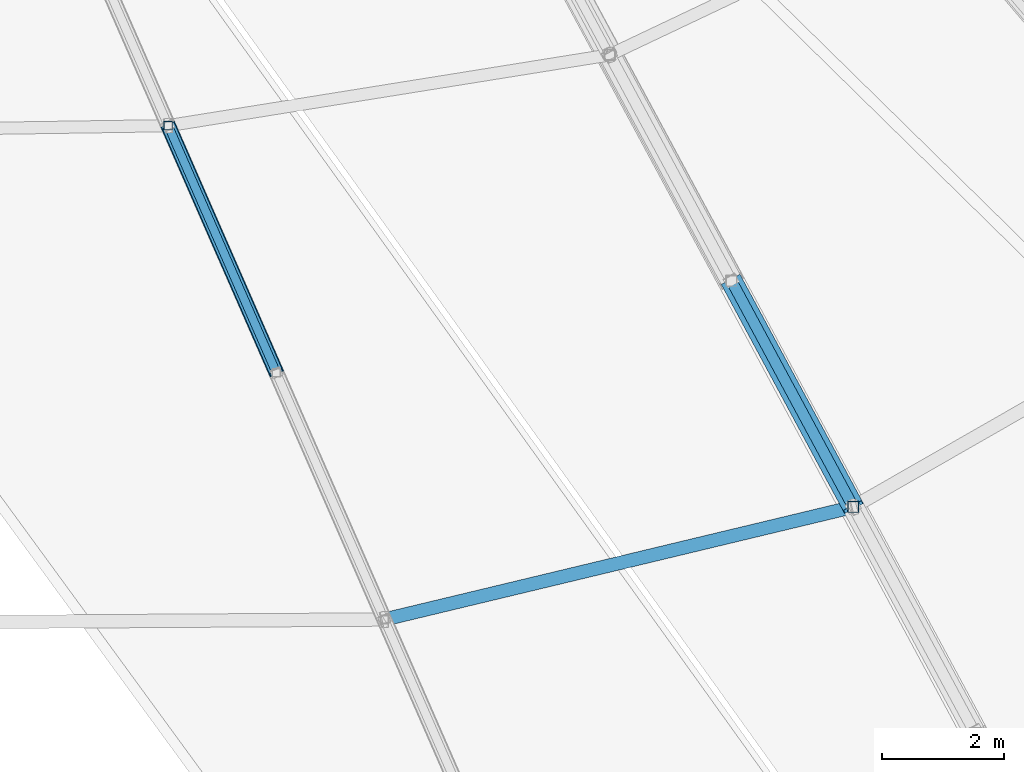
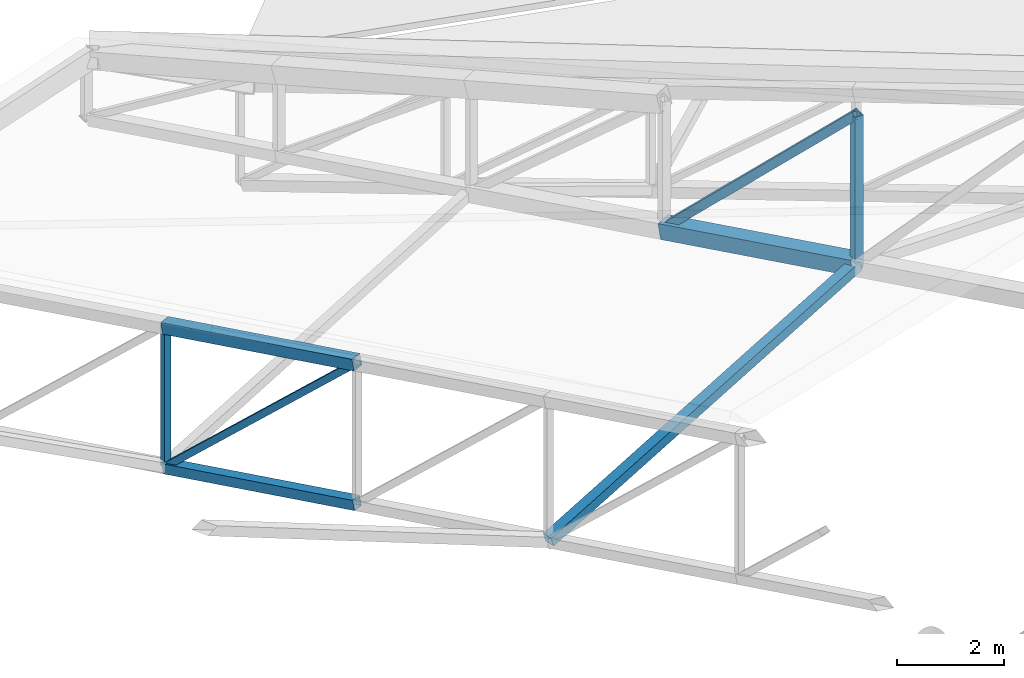
# One storey, part 73 of 344: 8 members.
"""IFC4 building model written with IfcOpenShell, lengths in metres."""

from ifc_helpers import new_model, si_unit, direction, frame, origin, origin_2d, place, context, subcontext, project, spatial, hollow_rectangle, extrude, material, material_profile, profile_set, type_object, element, save


model = new_model("IFC4")

# Units and contexts
model_context = context("Model", 3, precision=1e-05, world=origin(), true_north=direction((0.0, 1.0)))
body_context = subcontext(model_context, "Body", "Model", "MODEL_VIEW")
ifc_project = project(units=[si_unit("LENGTHUNIT", "METRE"), si_unit("AREAUNIT", "SQUARE_METRE"), si_unit("VOLUMEUNIT", "CUBIC_METRE"), si_unit("PLANEANGLEUNIT", "RADIAN"), si_unit("MASSUNIT", "GRAM", prefix="KILO")], contexts=[model_context])

# Site, building, storey
site_placement = place(None, origin())
site = spatial("IfcSite", under=ifc_project, at=site_placement, CompositionType="ELEMENT")
building_placement = place(site_placement, origin())
building = spatial("IfcBuilding", under=site, at=building_placement, Name="Meseta Stadium", CompositionType="ELEMENT")
storey_placement = place(building_placement, frame((0.0, 0.0, 24.0)))
storey = spatial("IfcBuildingStorey", under=building, at=storey_placement, Name="L04", CompositionType="ELEMENT", Elevation=24.0)

# Members
ifc_material_1 = material(Name="Steel S355", Category="steel")
ifc_material_profile_1 = material_profile(ifc_material_1, hollow_rectangle(XDim=0.139892578125, YDim=0.139892578125, WallThickness=0.0048828125, at=origin_2d()), Name="SHS 140x140x5")
ifc_profile_set_1 = profile_set([ifc_material_profile_1], Name="Steel S355")
member_type_1 = type_object("IfcMemberType", Name="SHS 140x140x5 diagonal", PredefinedType="BRACE", material=ifc_profile_set_1)
member_1_placement = place(storey_placement, frame((27.43017578125, -73.6884765625, 0.342529296875), z_axis=(0.290918020478, -0.664698263541, 0.688144551534), x_axis=(0.916100374083, 0.400949004993, 0.0)))
element("IfcMember", 1, at=member_1_placement, inside=storey, type_object=member_type_1, Name="ROOF TRUSS RT-49 diagonal", PredefinedType="BRACE", context=body_context, shape_type="SweptSolid", body=[
    extrude(hollow_rectangle(XDim=0.139892578125, YDim=0.139892578125, WallThickness=0.0048828125, at=origin_2d()), origin(), (0.0, 0.0, 1.0), 6.101806640625),
])
ifc_material_2 = material(Name="Steel S355", Category="steel")
ifc_material_profile_2 = material_profile(ifc_material_2, hollow_rectangle(XDim=0.139892578125, YDim=0.139892578125, WallThickness=0.0048828125, at=origin_2d()), Name="SHS 140x140x5")
ifc_profile_set_2 = profile_set([ifc_material_profile_2], Name="Steel S355")
member_type_2 = type_object("IfcMemberType", Name="SHS 140x140x5 post", PredefinedType="POST", material=ifc_profile_set_2)
member_2_placement = place(storey_placement, frame((27.43017578125, -73.6884765625, 0.342529296875), z_axis=(0.0, 0.0, 1.0), x_axis=(1.0, 0.0, 0.0)))
element("IfcMember", 2, at=member_2_placement, inside=storey, type_object=member_type_2, Name="ROOF TRUSS RT-49 post", PredefinedType="POST", context=body_context, shape_type="SweptSolid", body=[
    extrude(hollow_rectangle(XDim=0.139892578125, YDim=0.139892578125, WallThickness=0.0048828125, at=origin_2d()), origin(), (0.0, 0.0, 1.0), 3.199951171875),
])
ifc_material_3 = material(Name="Steel S355", Category="steel")
ifc_material_profile_3 = material_profile(ifc_material_3, hollow_rectangle(XDim=0.179931640625, YDim=0.179931640625, WallThickness=0.00634765625, at=origin_2d()), Name="SHS 180x180x6.3")
ifc_profile_set_3 = profile_set([ifc_material_profile_3], Name="Steel S355")
member_type_3 = type_object("IfcMemberType", Name="SHS 180x180x6.3 diagonal", PredefinedType="BRACE", material=ifc_profile_set_3)
member_3_placement = place(storey_placement, frame((36.682373046875, -76.239013671875, 4.085205078125), z_axis=(0.339017164704, -0.629408210203, 0.699222902202), x_axis=(0.880409753132, 0.474213735134, 0.0)))
element("IfcMember", 3, at=member_3_placement, inside=storey, type_object=member_type_3, Name="ROOF TRUSS RT-50 diagonal", PredefinedType="BRACE", context=body_context, shape_type="SweptSolid", body=[
    extrude(hollow_rectangle(XDim=0.179931640625, YDim=0.179931640625, WallThickness=0.00634765625, at=origin_2d()), origin(), (0.0, 0.0, 1.0), 5.8994140625),
])
ifc_material_4 = material(Name="Steel S355", Category="steel")
ifc_material_profile_4 = material_profile(ifc_material_4, hollow_rectangle(XDim=0.179931640625, YDim=0.179931640625, WallThickness=0.00634765625, at=origin_2d()), Name="SHS 180x180x6.3")
ifc_profile_set_4 = profile_set([ifc_material_profile_4], Name="Steel S355")
member_type_4 = type_object("IfcMemberType", Name="SHS 180x180x6.3 post", PredefinedType="POST", material=ifc_profile_set_4)
member_4_placement = place(storey_placement, frame((38.682373046875, -79.9521484375, 4.798828125), z_axis=(0.0, 0.0, 1.0), x_axis=(1.0, 0.0, 0.0)))
element("IfcMember", 4, at=member_4_placement, inside=storey, type_object=member_type_4, Name="ROOF TRUSS RT-50 post", PredefinedType="POST", context=body_context, shape_type="SweptSolid", body=[
    extrude(hollow_rectangle(XDim=0.179931640625, YDim=0.179931640625, WallThickness=0.00634765625, at=origin_2d()), origin(), (0.0, 0.0, 1.0), 3.411376953125),
])
ifc_material_5 = material(Name="Steel S355", Category="steel")
ifc_material_profile_5 = material_profile(ifc_material_5, hollow_rectangle(XDim=0.219970703125, YDim=0.219970703125, WallThickness=0.008056640625, at=origin_2d()), Name="SHS 220x220x8")
ifc_profile_set_5 = profile_set([ifc_material_profile_5], Name="Steel S355")
member_type_5 = type_object("IfcMemberType", Name="SHS 220x220x8 bottom chord", PredefinedType="CHORD", material=ifc_profile_set_5)
member_5_placement = place(storey_placement, frame((27.43017578125, -73.6884765625, 0.342529296875), z_axis=(0.391115447605, -0.893632365707, 0.220113383523), x_axis=(0.916100374083, 0.400949004993, 0.0)))
element("IfcMember", 5, at=member_5_placement, inside=storey, type_object=member_type_5, Name="ROOF TRUSS RT-49 bottom chord", PredefinedType="CHORD", context=body_context, shape_type="SweptSolid", body=[
    extrude(hollow_rectangle(XDim=0.219970703125, YDim=0.219970703125, WallThickness=0.008056640625, at=origin_2d()), origin(), (0.0, 0.0, 1.0), 4.53857421875),
])
ifc_material_6 = material(Name="Steel S355", Category="steel")
ifc_material_profile_6 = material_profile(ifc_material_6, hollow_rectangle(XDim=0.219970703125, YDim=0.219970703125, WallThickness=0.008056640625, at=origin_2d()), Name="SHS 220x220x8")
ifc_profile_set_6 = profile_set([ifc_material_profile_6], Name="Steel S355")
member_type_6 = type_object("IfcMemberType", Name="SHS 220x220x8 strut", PredefinedType="STRUT", material=ifc_profile_set_6)
member_6_placement = place(storey_placement, frame((30.98046875, -81.80029296875, 2.34033203125), z_axis=(0.928687605096, 0.222847344298, 0.296442900539), x_axis=(-0.233335646729, 0.972396254603, 0.0)))
element("IfcMember", 6, at=member_6_placement, inside=storey, type_object=member_type_6, Name="ROOF TRUSS STRUT RT-49/50", PredefinedType="STRUT", context=body_context, shape_type="SweptSolid", body=[
    extrude(hollow_rectangle(XDim=0.219970703125, YDim=0.219970703125, WallThickness=0.008056640625, at=origin_2d()), origin(), (0.0, 0.0, 1.0), 8.293212890625),
])
ifc_material_7 = material(Name="Steel S355", Category="steel")
ifc_material_profile_7 = material_profile(ifc_material_7, hollow_rectangle(XDim=0.25, YDim=0.25, WallThickness=0.010009765625, at=origin_2d()), Name="SHS 250x250x10")
ifc_profile_set_7 = profile_set([ifc_material_profile_7], Name="Steel S355")
member_type_7 = type_object("IfcMemberType", Name="SHS 250x250x10 top chord", PredefinedType="CHORD", material=ifc_profile_set_7)
member_7_placement = place(storey_placement, frame((27.43017578125, -73.6884765625, 3.54248046875), z_axis=(0.391115447605, -0.893632365707, 0.220113383523), x_axis=(0.916100374083, 0.400949004993, 0.0)))
element("IfcMember", 7, at=member_7_placement, inside=storey, type_object=member_type_7, Name="ROOF TRUSS RT-49 top chord", PredefinedType="CHORD", context=body_context, shape_type="SweptSolid", body=[
    extrude(hollow_rectangle(XDim=0.25, YDim=0.25, WallThickness=0.010009765625, at=origin_2d()), origin(), (0.0, 0.0, 1.0), 4.53857421875),
])
ifc_material_8 = material(Name="Steel S355", Category="steel")
ifc_material_profile_8 = material_profile(ifc_material_8, hollow_rectangle(XDim=0.35009765625, YDim=0.35009765625, WallThickness=0.010009765625, at=origin_2d()), Name="SHS 350x350x10")
ifc_profile_set_8 = profile_set([ifc_material_profile_8], Name="Steel S355")
member_type_8 = type_object("IfcMemberType", Name="SHS 350x350x10 bottom chord", PredefinedType="CHORD", material=ifc_profile_set_8)
member_8_placement = place(storey_placement, frame((36.682373046875, -76.239013671875, 4.085205078125), z_axis=(0.467567666333, -0.868070878571, 0.166833531334), x_axis=(0.880409753132, 0.474213735134, 0.0)))
element("IfcMember", 8, at=member_8_placement, inside=storey, type_object=member_type_8, Name="ROOF TRUSS RT-50 bottom chord", PredefinedType="CHORD", context=body_context, shape_type="SweptSolid", body=[
    extrude(hollow_rectangle(XDim=0.35009765625, YDim=0.35009765625, WallThickness=0.010009765625, at=origin_2d()), origin(), (0.0, 0.0, 1.0), 4.27734375),
])

save(model, "model.ifc")
